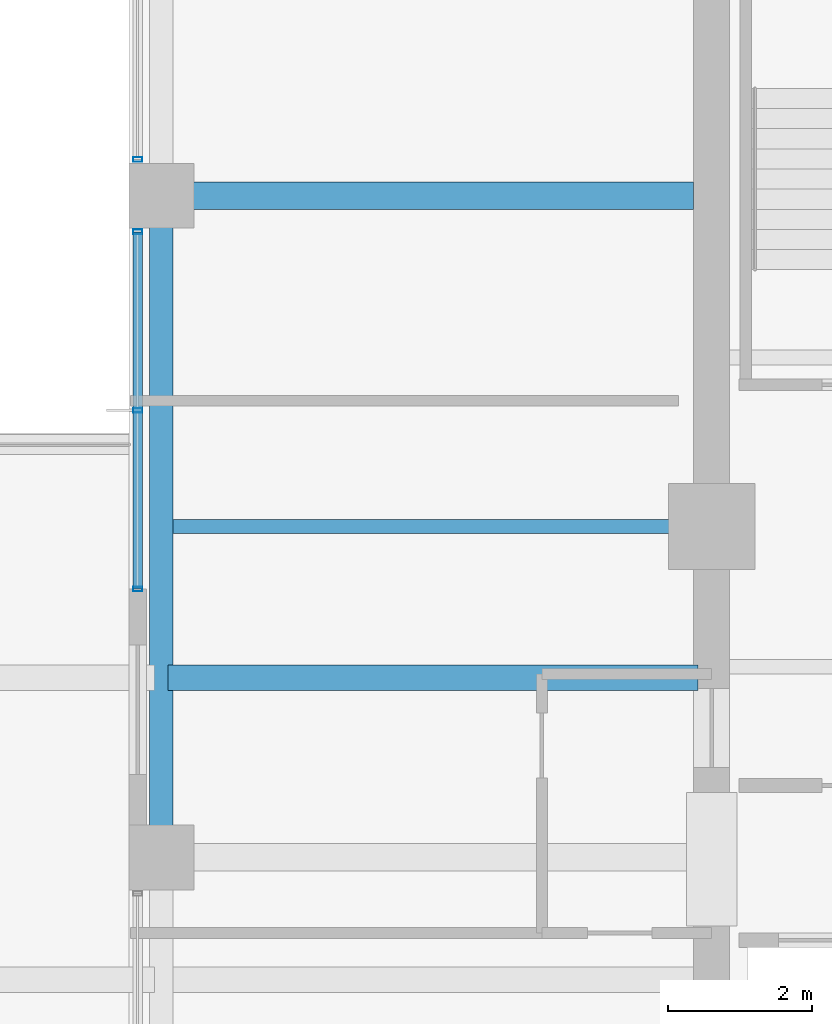
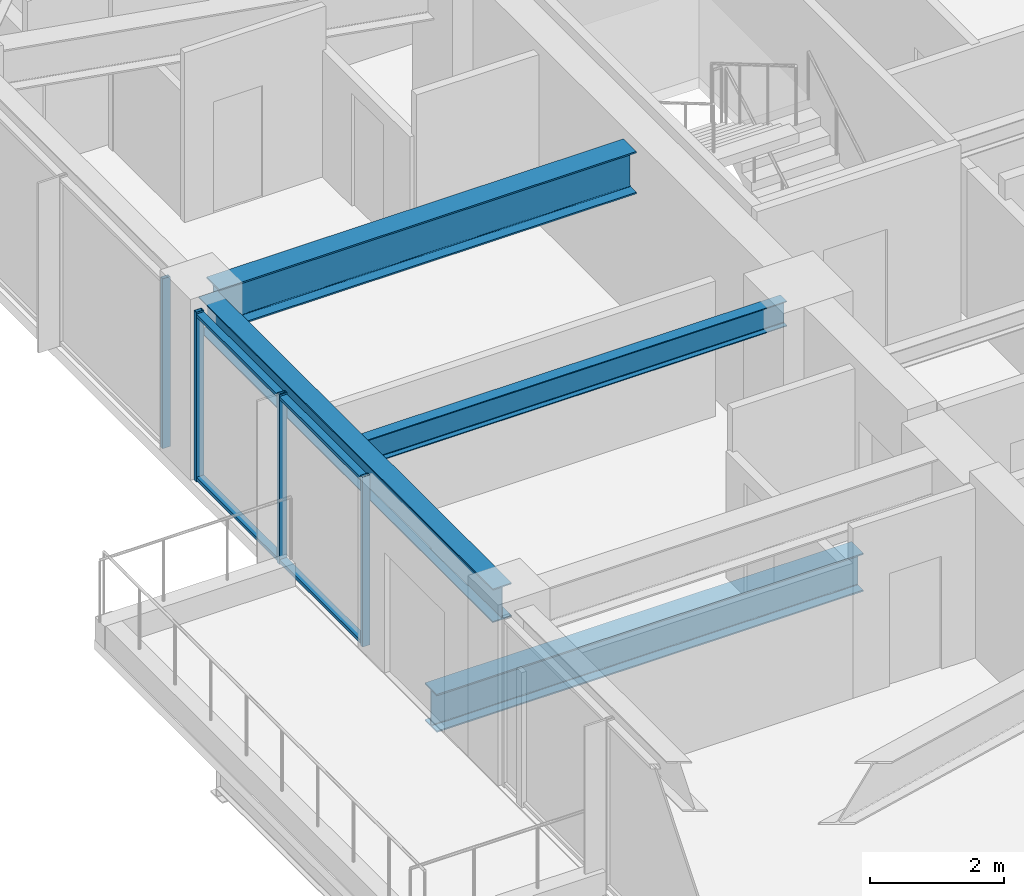
# One storey, part 9 of 32: 6 members, 4 beams, 2 elements without a shape of their own.
"""IFC4 building model written with IfcOpenShell, lengths in metres."""

from ifc_helpers import new_model, si_unit, direction, frame, origin, origin_2d, place, context, subcontext, project, spatial, hollow_rectangle, i_section, extrude, material, material_profile, profile_set, type_object, element, aggregate, save


model = new_model("IFC4")

# Units and contexts
model_context = context("Model", 3, precision=1e-05, world=origin(), true_north=direction((0.0, 1.0)))
body_context = subcontext(model_context, "Body", "Model", "MODEL_VIEW")
ifc_project = project(units=[si_unit("LENGTHUNIT", "METRE"), si_unit("AREAUNIT", "SQUARE_METRE"), si_unit("VOLUMEUNIT", "CUBIC_METRE"), si_unit("PLANEANGLEUNIT", "RADIAN"), si_unit("MASSUNIT", "GRAM", prefix="KILO")], contexts=[model_context])

# Site, building, storey
site_placement = place(None, origin())
site = spatial("IfcSite", under=ifc_project, at=site_placement, CompositionType="ELEMENT")
building_placement = place(site_placement, origin())
building = spatial("IfcBuilding", under=site, at=building_placement, Name="Kolvaren Belvedere", CompositionType="ELEMENT")
storey_placement = place(building_placement, frame((0.0, 0.0, 141.5)))
storey = spatial("IfcBuildingStorey", under=building, at=storey_placement, Name="L41", CompositionType="ELEMENT", Elevation=141.5)

# Beams
ifc_material_1 = material(Name="Structural steel ASTM A992 Grade 50", Category="steel")
ifc_material_profile_1 = material_profile(ifc_material_1, i_section(OverallWidth=0.35498046875, OverallDepth=0.696044921875, WebThickness=0.015380859375, FlangeThickness=0.02490234375, FilletRadius=0.02197265625, at=origin_2d()), Name="W27X146")
ifc_profile_set_1 = profile_set([ifc_material_profile_1], Name="Structural steel ASTM A992 Grade 50")
beam_type_1 = type_object("IfcBeamType", Name="BM-GIRD-W27X146", PredefinedType="BEAM", material=ifc_profile_set_1)
beam_1_placement = place(storey_placement, frame((-10.090087890625, -2.10009765625, -0.548095703125), z_axis=(-1.0, 0.0, 0.0), x_axis=(0.0, -1.0, 0.0)))
element("IfcBeam", 1, at=beam_1_placement, inside=storey, type_object=beam_type_1, Name="L41 Balcony Interior Back-Span Girder SPIRAL-06-W-2", PredefinedType="BEAM", context=body_context, shape_type="SweptSolid", body=[
    extrude(i_section(OverallWidth=0.35498046875, OverallDepth=0.696044921875, WebThickness=0.015380859375, FlangeThickness=0.02490234375, FilletRadius=0.02197265625, at=origin_2d()), origin(), (0.0, 0.0, 1.0), 7.364990234375),
])
ifc_material_2 = material(Name="Structural steel ASTM A992 Grade 50", Category="steel")
ifc_material_profile_2 = material_profile(ifc_material_2, i_section(OverallWidth=0.381103515625, OverallDepth=0.77294921875, WebThickness=0.0166015625, FlangeThickness=0.027099609375, FilletRadius=0.02392578125, at=origin_2d()), Name="W30X173")
ifc_profile_set_2 = profile_set([ifc_material_profile_2], Name="Structural steel ASTM A992 Grade 50")
beam_type_2 = type_object("IfcBeamType", Name="BM-GIRD-W30X173", PredefinedType="BEAM", material=ifc_profile_set_2)
beam_2_placement = place(storey_placement, frame((-10.14990234375, 4.60009765625, 2.71337890625), z_axis=(-1.0, 0.0, 0.0), x_axis=(0.0, -1.0, 0.0)))
element("IfcBeam", 2, at=beam_2_placement, inside=storey, type_object=beam_type_2, Name="L41 West Radial Girder P", PredefinedType="BEAM", context=body_context, shape_type="SweptSolid", body=[
    extrude(i_section(OverallWidth=0.381103515625, OverallDepth=0.77294921875, WebThickness=0.0166015625, FlangeThickness=0.027099609375, FilletRadius=0.02392578125, at=origin_2d()), origin(), (0.0, 0.0, 1.0), 7.197509765625),
])
ifc_material_3 = material(Name="Structural steel ASTM A992 Grade 50", Category="steel")
ifc_material_profile_3 = material_profile(ifc_material_3, i_section(OverallWidth=0.19091796875, OverallDepth=0.4599609375, WebThickness=0.010009765625, FlangeThickness=0.01611328125, FilletRadius=0.014892578125, at=origin_2d()), Name="W18X55")
ifc_profile_set_3 = profile_set([ifc_material_profile_3], Name="Structural steel ASTM A992 Grade 50")
beam_type_3 = type_object("IfcBeamType", Name="BM-JOIST-W18X55", PredefinedType="BEAM", material=ifc_profile_set_3)
beam_3_placement = place(storey_placement, frame((-10.14990234375, 0.0, 2.8701171875), z_axis=(-1.0, 0.0, 0.0), x_axis=(0.0, -1.0, 0.0)))
element("IfcBeam", 3, at=beam_3_placement, inside=storey, type_object=beam_type_3, Name="L41 West Centre Floor Beam", PredefinedType="BEAM", context=body_context, shape_type="SweptSolid", body=[
    extrude(i_section(OverallWidth=0.19091796875, OverallDepth=0.4599609375, WebThickness=0.010009765625, FlangeThickness=0.01611328125, FilletRadius=0.014892578125, at=origin_2d()), origin(), (0.0, 0.0, 1.0), 7.237548828125),
])
ifc_material_4 = material(Name="Structural steel ASTM A992 Grade 50", Category="steel")
ifc_material_profile_4 = material_profile(ifc_material_4, i_section(OverallWidth=0.324951171875, OverallDepth=0.615966796875, WebThickness=0.013916015625, FlangeThickness=0.021484375, FilletRadius=0.02001953125, at=origin_2d()), Name="W24X117")
ifc_profile_set_4 = profile_set([ifc_material_profile_4], Name="Structural steel ASTM A992 Grade 50")
beam_type_4 = type_object("IfcBeamType", Name="BM-SPAN-W24X117", PredefinedType="SPANDREL", material=ifc_profile_set_4)
beam_4_placement = place(storey_placement, frame((-17.550048828125, 4.3974609375, 2.7919921875), z_axis=(0.0, -1.0, 0.0), x_axis=(1.0, 0.0, 0.0)))
element("IfcBeam", 4, at=beam_4_placement, inside=storey, type_object=beam_type_4, Name="L41 Perimeter Spandrel W3-W2", PredefinedType="SPANDREL", context=body_context, shape_type="SweptSolid", body=[
    extrude(i_section(OverallWidth=0.324951171875, OverallDepth=0.615966796875, WebThickness=0.013916015625, FlangeThickness=0.021484375, FilletRadius=0.02001953125, at=origin_2d()), origin(), (0.0, 0.0, 1.0), 8.794921875),
])

# Curtain wall, members
ifc_material_5 = material(Name="Anodised pale-metal aluminium AA 6063-T6", Category="aluminium")
curtain_wall_type = type_object("IfcCurtainWallType", Name="CW-Z3-WAIST", PredefinedType="NOTDEFINED", material=ifc_material_5)
curtain_wall_1_placement = place(storey_placement, origin())
curtain_wall_1 = element("IfcCurtainWall", 5, at=curtain_wall_1_placement, inside=storey, type_object=curtain_wall_type, Name="L41 Unitised Curtain Wall FCW-L41-W2-B1", PredefinedType="NOTDEFINED")
ifc_material_6 = material(Name="Anodised pale-metal aluminium AA 6063-T6", Category="aluminium")
ifc_material_profile_5 = material_profile(ifc_material_6, hollow_rectangle(XDim=0.06494140625, YDim=0.1298828125, WallThickness=0.00390625, at=origin_2d()), Name="ALU-MUL-130X65")
ifc_profile_set_5 = profile_set([ifc_material_profile_5], Name="Anodised pale-metal aluminium AA 6063-T6")
member_type_1 = type_object("IfcMemberType", Name="CW-MUL-130", PredefinedType="MULLION", material=ifc_profile_set_5)
member_1_placement = place(storey_placement, frame((-17.8798828125, -0.8701171875, 0.0), z_axis=(0.0, 0.0, 1.0), x_axis=(0.0, 1.0, 0.0)))
member_1 = element("IfcMember", 6, at=member_1_placement, type_object=member_type_1, Name="FCW-L41-W2-B1 Unitised Mullion 1", PredefinedType="MULLION", context=body_context, shape_type="SweptSolid", body=[
    extrude(hollow_rectangle(XDim=0.06494140625, YDim=0.1298828125, WallThickness=0.00390625, at=origin_2d()), origin(), (0.0, 0.0, 1.0), 3.10009765625),
])
member_2_placement = place(storey_placement, frame((-17.8798828125, 1.61376953125, 0.0), z_axis=(0.0, 0.0, 1.0), x_axis=(0.0, 1.0, 0.0)))
member_2 = element("IfcMember", 7, at=member_2_placement, type_object=member_type_1, Name="FCW-L41-W2-B1 Unitised Mullion 2", PredefinedType="MULLION", context=body_context, shape_type="SweptSolid", body=[
    extrude(hollow_rectangle(XDim=0.06494140625, YDim=0.1298828125, WallThickness=0.00390625, at=origin_2d()), origin(), (0.0, 0.0, 1.0), 3.10009765625),
])
member_3_placement = place(storey_placement, frame((-17.8798828125, 4.097412109375, 0.0), z_axis=(0.0, 0.0, 1.0), x_axis=(0.0, 1.0, 0.0)))
member_3 = element("IfcMember", 8, at=member_3_placement, type_object=member_type_1, Name="FCW-L41-W2-B1 Unitised Mullion 3", PredefinedType="MULLION", context=body_context, shape_type="SweptSolid", body=[
    extrude(hollow_rectangle(XDim=0.06494140625, YDim=0.1298828125, WallThickness=0.00390625, at=origin_2d()), origin(), (0.0, 0.0, 1.0), 3.10009765625),
])

# Curtain wall, member
curtain_wall_2_placement = place(storey_placement, origin())
curtain_wall_2 = element("IfcCurtainWall", 9, at=curtain_wall_2_placement, inside=storey, type_object=curtain_wall_type, Name="L41 Unitised Curtain Wall FCW-L41-W2-B2", PredefinedType="NOTDEFINED")
member_4_placement = place(storey_placement, frame((-17.8798828125, 5.1025390625, 0.0), z_axis=(0.0, 0.0, 1.0), x_axis=(0.0, 1.0, 0.0)))
member_4 = element("IfcMember", 10, at=member_4_placement, type_object=member_type_1, Name="FCW-L41-W2-B2 Unitised Mullion 1", PredefinedType="MULLION", context=body_context, shape_type="SweptSolid", body=[
    extrude(hollow_rectangle(XDim=0.06494140625, YDim=0.1298828125, WallThickness=0.00390625, at=origin_2d()), origin(), (0.0, 0.0, 1.0), 3.10009765625),
])
aggregate(curtain_wall_2, [member_4])

# Member
ifc_material_7 = material(Name="Anodised pale-metal aluminium AA 6063-T6", Category="aluminium")
ifc_material_profile_6 = material_profile(ifc_material_7, hollow_rectangle(XDim=0.06005859375, YDim=0.1298828125, WallThickness=0.00390625, at=origin_2d()), Name="ALU-TRN-130X60")
ifc_profile_set_6 = profile_set([ifc_material_profile_6], Name="Anodised pale-metal aluminium AA 6063-T6")
member_type_2 = type_object("IfcMemberType", Name="CW-TRN-130", PredefinedType="USERDEFINED", material=ifc_profile_set_6)
member_5_placement = place(storey_placement, frame((-17.8798828125, -0.8701171875, 0.06005859375), z_axis=(0.0, 1.0, 0.0), x_axis=(0.0, 0.0, 1.0)))
member_5 = element("IfcMember", 11, at=member_5_placement, type_object=member_type_2, Name="FCW-L41-W2-B1 Sill Transom", ObjectType="TRANSOM", PredefinedType="USERDEFINED", context=body_context, shape_type="SweptSolid", body=[
    extrude(hollow_rectangle(XDim=0.06005859375, YDim=0.1298828125, WallThickness=0.00390625, at=origin_2d()), origin(), (0.0, 0.0, 1.0), 4.967529296875),
])

member_6_placement = place(storey_placement, frame((-17.8798828125, -0.8701171875, 3.0400390625), z_axis=(0.0, 1.0, 0.0), x_axis=(0.0, 0.0, 1.0)))
member_6 = element("IfcMember", 12, at=member_6_placement, type_object=member_type_2, Name="FCW-L41-W2-B1 Head Transom", ObjectType="TRANSOM", PredefinedType="USERDEFINED", context=body_context, shape_type="SweptSolid", body=[
    extrude(hollow_rectangle(XDim=0.06005859375, YDim=0.1298828125, WallThickness=0.00390625, at=origin_2d()), origin(), (0.0, 0.0, 1.0), 4.967529296875),
])

aggregate(curtain_wall_1, [member_1, member_2, member_3, member_5, member_6])

save(model, "model.ifc")
